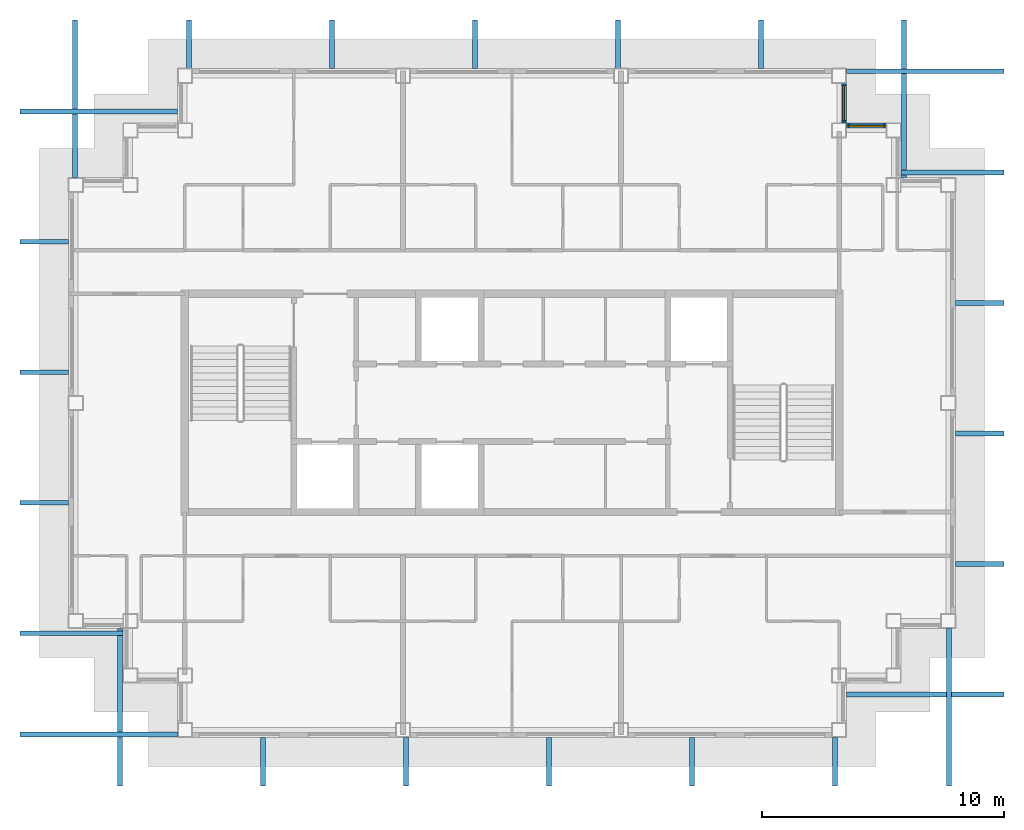
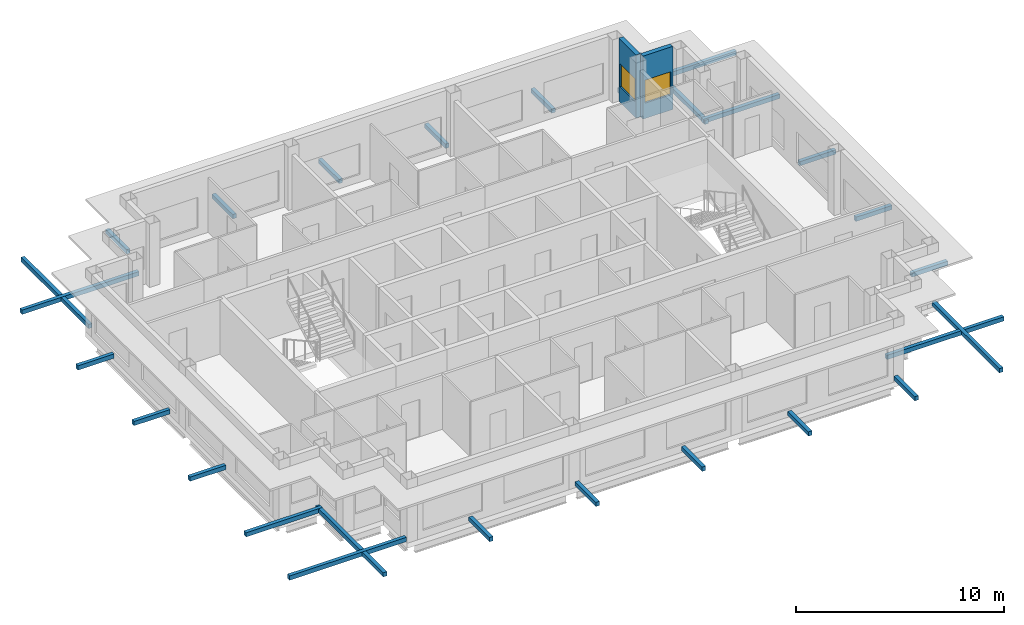
# One storey, part 6 of 11: 26 discrete accessories, 2 walls, 2 windows, 2 openings.
"""IFC4 building model written with IfcOpenShell, lengths in metres."""

from ifc_helpers import new_model, si_unit, direction, frame, frame_2d, origin, origin_2d, place, context, subcontext, project, spatial, rectangle, extrude, material, layer, layer_set, type_object, element, fill, save


model = new_model("IFC4")

# Units and contexts
model_context = context("Model", 3, precision=1e-05, world=origin(), true_north=direction((0.0, 1.0)))
body_context = subcontext(model_context, "Body", "Model", "MODEL_VIEW")
ifc_project = project(units=[si_unit("LENGTHUNIT", "METRE"), si_unit("AREAUNIT", "SQUARE_METRE"), si_unit("VOLUMEUNIT", "CUBIC_METRE"), si_unit("PLANEANGLEUNIT", "RADIAN"), si_unit("MASSUNIT", "GRAM", prefix="KILO")], contexts=[model_context])

# Site, building, storey
site_placement = place(None, origin())
site = spatial("IfcSite", under=ifc_project, at=site_placement, CompositionType="ELEMENT")
building_placement = place(site_placement, origin())
building = spatial("IfcBuilding", under=site, at=building_placement, Name="Caravel Reach Hotel and Residences", CompositionType="ELEMENT")
storey_placement = place(building_placement, frame((0.0, 0.0, 301.89990234375)))
storey = spatial("IfcBuildingStorey", under=building, at=storey_placement, Name="L77", CompositionType="ELEMENT", Elevation=301.89990234375)

# Wall, opening, window
ifc_material_1 = material(Name="Insulated rainscreen wall, aluminium cladding", Category="aluminium")
ifc_layer = layer(ifc_material_1, 0.25)
ifc_layer_set = layer_set([ifc_layer], Name="EW1 Tower rainscreen wall")
wall_type = type_object("IfcWallType", Name="EW1 Tower rainscreen wall", PredefinedType="SOLIDWALL", material=ifc_layer_set)
wall_1_placement = place(storey_placement, frame((46.949951171875, 38.425048828125, 0.0), z_axis=(0.0, 0.0, 1.0), x_axis=(-1.0, 0.0, 0.0)))
wall_1 = element("IfcWall", 1, at=wall_1_placement, inside=storey, type_object=wall_type, Name="External wall L77 N8.1", PredefinedType="SOLIDWALL", context=body_context, shape_type="SweptSolid", body=[
    extrude(rectangle(XDim=1.64990234375, YDim=0.25, at=frame_2d((0.824951171875, 0.0))), origin(), (0.0, 0.0, 1.0), 3.7001953125),
])
opening_1_placement = place(wall_1_placement, frame((0.10009765625, 0.0, 0.89990234375)))
opening_1 = element("IfcOpeningElement", 2, at=opening_1_placement, cuts=wall_1, Name="Opening WN27", PredefinedType="OPENING", context=body_context, shape_type="SweptSolid", body=[
    extrude(rectangle(XDim=1.449951171875, YDim=1.35009765625, at=frame_2d((0.72509765625, 0.675048828125))), frame((0.0, 0.135009765625, 0.0), z_axis=(0.0, -1.0, 0.0), x_axis=(1.0, 0.0, 0.0)), (0.0, 0.0, 1.0), 0.27001953125),
])
ifc_material_2 = material(Name="Dark low-e glazing in black aluminium frame", Category="aluminium")
window_type = type_object("IfcWindowType", Name="Residence bedroom window 1450 x 1350", PartitioningType="SINGLE_PANEL", PredefinedType="WINDOW", material=ifc_material_2)
window_1_placement = place(opening_1_placement, origin())
window_1 = element("IfcWindow", 3, at=window_1_placement, inside=storey, type_object=window_type, Name="Window L77 N8.1.1", OverallHeight=1.35009765625, OverallWidth=1.449951171875, PartitioningType="SINGLE_PANEL", PredefinedType="WINDOW", context=body_context, shape_type="SweptSolid", body=[
    extrude(rectangle(XDim=1.449951171875, YDim=1.35009765625, at=frame_2d((0.72509765625, 0.675048828125))), frame((0.0, 0.030029296875, 0.0), z_axis=(0.0, -1.0, 0.0), x_axis=(1.0, 0.0, 0.0)), (0.0, 0.0, 1.0), 0.06005859375),
])
fill(opening_1, window_1)

wall_2_placement = place(storey_placement, frame((45.175048828125, 38.550048828125, 0.0), z_axis=(0.0, 0.0, 1.0), x_axis=(0.0, 1.0, 0.0)))
wall_2 = element("IfcWall", 4, at=wall_2_placement, inside=storey, type_object=wall_type, Name="External wall L77 E9.1", PredefinedType="SOLIDWALL", context=body_context, shape_type="SweptSolid", body=[
    extrude(rectangle(XDim=1.64990234375, YDim=0.25, at=frame_2d((0.824951171875, 0.0))), origin(), (0.0, 0.0, 1.0), 3.7001953125),
])
opening_2_placement = place(wall_2_placement, frame((0.10009765625, 0.0, 0.89990234375)))
opening_2 = element("IfcOpeningElement", 5, at=opening_2_placement, cuts=wall_2, Name="Opening WN27", PredefinedType="OPENING", context=body_context, shape_type="SweptSolid", body=[
    extrude(rectangle(XDim=1.449951171875, YDim=1.35009765625, at=frame_2d((0.72509765625, 0.675048828125))), frame((0.0, 0.135009765625, 0.0), z_axis=(0.0, -1.0, 0.0), x_axis=(1.0, 0.0, 0.0)), (0.0, 0.0, 1.0), 0.27001953125),
])
window_2_placement = place(opening_2_placement, origin())
window_2 = element("IfcWindow", 6, at=window_2_placement, inside=storey, type_object=window_type, Name="Window L77 E9.1.1", OverallHeight=1.35009765625, OverallWidth=1.449951171875, PartitioningType="SINGLE_PANEL", PredefinedType="WINDOW", context=body_context, shape_type="SweptSolid", body=[
    extrude(rectangle(XDim=1.449951171875, YDim=1.35009765625, at=frame_2d((0.72509765625, 0.675048828125))), frame((0.0, 0.030029296875, 0.0), z_axis=(0.0, -1.0, 0.0), x_axis=(1.0, 0.0, 0.0)), (0.0, 0.0, 1.0), 0.06005859375),
])
fill(opening_2, window_2)

# Discrete accessories
ifc_material_3 = material(Name="Black powder-coated aluminium", Category="aluminium")
discrete_accessory_type = type_object("IfcDiscreteAccessoryType", Name="BR1 Screen bracket", PredefinedType="BRACKET", material=ifc_material_3)
discrete_accessory_1_placement = place(storey_placement, frame((48.550048828125, 14.96826171875, 0.10009765625), z_axis=(0.0, 0.0, 1.0), x_axis=(1.0, 0.0, 0.0)))
element("IfcDiscreteAccessory", 7, at=discrete_accessory_1_placement, inside=storey, type_object=discrete_accessory_type, Name="Screen bracket L77 1.1.2", PredefinedType="BRACKET", context=body_context, shape_type="SweptSolid", body=[
    extrude(rectangle(XDim=6.5, YDim=0.199951171875, at=origin_2d()), origin(), (0.0, 0.0, 1.0), 0.25),
])
for number, where, z_axis, x_axis, name in (
    (8, (50.800048828125, 20.3515625, 0.10009765625), (0.0, 0.0, 1.0), (1.0, 0.0, 0.0), "Screen bracket L77 1.2.2"),
    (9, (50.800048828125, 25.735107421875, 0.10009765625), (0.0, 0.0, 1.0), (1.0, 0.0, 0.0), "Screen bracket L77 1.3.2"),
    (10, (50.800048828125, 31.118408203125, 0.10009765625), (0.0, 0.0, 1.0), (1.0, 0.0, 0.0), "Screen bracket L77 1.4.2"),
):
    element("IfcDiscreteAccessory", number, at=place(storey_placement, frame(where, z_axis=z_axis, x_axis=x_axis)), inside=storey, type_object=discrete_accessory_type, Name=name, PredefinedType="BRACKET", context=body_context, shape_type="SweptSolid", body=[
        extrude(rectangle(XDim=2.0, YDim=0.199951171875, at=origin_2d()), origin(), (0.0, 0.0, 1.0), 0.25),
    ])
discrete_accessory_2_placement = place(storey_placement, frame((49.675048828125, 36.501708984375, 0.10009765625), z_axis=(0.0, 0.0, 1.0), x_axis=(1.0, 0.0, 0.0)))
element("IfcDiscreteAccessory", 11, at=discrete_accessory_2_placement, inside=storey, type_object=discrete_accessory_type, Name="Screen bracket L77 1.5.2", PredefinedType="BRACKET", context=body_context, shape_type="SweptSolid", body=[
    extrude(rectangle(XDim=4.25, YDim=0.199951171875, at=origin_2d()), origin(), (0.0, 0.0, 1.0), 0.25),
])
for number, where, z_axis, x_axis, name in (
    (12, (48.550048828125, 40.68505859375, 0.10009765625), (0.0, 0.0, 1.0), (1.0, 0.0, 0.0), "Screen bracket L77 1.6.2"),
    (13, (47.669921875, 39.550048828125, 0.10009765625), (0.0, 0.0, 1.0), (0.0, 1.0, 0.0), "Screen bracket L77 2.1.2"),
):
    element("IfcDiscreteAccessory", number, at=place(storey_placement, frame(where, z_axis=z_axis, x_axis=x_axis)), inside=storey, type_object=discrete_accessory_type, Name=name, PredefinedType="BRACKET", context=body_context, shape_type="SweptSolid", body=[
        extrude(rectangle(XDim=6.5, YDim=0.199951171875, at=origin_2d()), origin(), (0.0, 0.0, 1.0), 0.25),
    ])
for number, where, z_axis, x_axis, name in (
    (14, (41.77001953125, 41.800048828125, 0.10009765625), (0.0, 0.0, 1.0), (0.0, 1.0, 0.0), "Screen bracket L77 2.2.2"),
    (15, (35.8701171875, 41.800048828125, 0.10009765625), (0.0, 0.0, 1.0), (0.0, 1.0, 0.0), "Screen bracket L77 2.3.2"),
    (16, (29.969970703125, 41.800048828125, 0.10009765625), (0.0, 0.0, 1.0), (0.0, 1.0, 0.0), "Screen bracket L77 2.4.2"),
    (17, (24.070068359375, 41.800048828125, 0.10009765625), (0.0, 0.0, 1.0), (0.0, 1.0, 0.0), "Screen bracket L77 2.5.2"),
    (18, (18.169921875, 41.800048828125, 0.10009765625), (0.0, 0.0, 1.0), (0.0, 1.0, 0.0), "Screen bracket L77 2.6.2"),
):
    element("IfcDiscreteAccessory", number, at=place(storey_placement, frame(where, z_axis=z_axis, x_axis=x_axis)), inside=storey, type_object=discrete_accessory_type, Name=name, PredefinedType="BRACKET", context=body_context, shape_type="SweptSolid", body=[
        extrude(rectangle(XDim=2.0, YDim=0.199951171875, at=origin_2d()), origin(), (0.0, 0.0, 1.0), 0.25),
    ])
for number, where, z_axis, x_axis, name in (
    (19, (13.469970703125, 39.550048828125, 0.10009765625), (0.0, 0.0, 1.0), (0.0, 1.0, 0.0), "Screen bracket L77 2.7.2"),
    (20, (14.449951171875, 39.03173828125, 0.10009765625), (0.0, 0.0, 1.0), (-1.0, 0.0, 0.0), "Screen bracket L77 3.1.2"),
):
    element("IfcDiscreteAccessory", number, at=place(storey_placement, frame(where, z_axis=z_axis, x_axis=x_axis)), inside=storey, type_object=discrete_accessory_type, Name=name, PredefinedType="BRACKET", context=body_context, shape_type="SweptSolid", body=[
        extrude(rectangle(XDim=6.5, YDim=0.199951171875, at=origin_2d()), origin(), (0.0, 0.0, 1.0), 0.25),
    ])
for number, where, z_axis, x_axis, name in (
    (21, (12.199951171875, 33.6484375, 0.10009765625), (0.0, 0.0, 1.0), (-1.0, 0.0, 0.0), "Screen bracket L77 3.2.2"),
    (22, (12.199951171875, 28.264892578125, 0.10009765625), (0.0, 0.0, 1.0), (-1.0, 0.0, 0.0), "Screen bracket L77 3.3.2"),
    (23, (12.199951171875, 22.881591796875, 0.10009765625), (0.0, 0.0, 1.0), (-1.0, 0.0, 0.0), "Screen bracket L77 3.4.2"),
):
    element("IfcDiscreteAccessory", number, at=place(storey_placement, frame(where, z_axis=z_axis, x_axis=x_axis)), inside=storey, type_object=discrete_accessory_type, Name=name, PredefinedType="BRACKET", context=body_context, shape_type="SweptSolid", body=[
        extrude(rectangle(XDim=2.0, YDim=0.199951171875, at=origin_2d()), origin(), (0.0, 0.0, 1.0), 0.25),
    ])
discrete_accessory_3_placement = place(storey_placement, frame((13.324951171875, 17.498291015625, 0.10009765625), z_axis=(0.0, 0.0, 1.0), x_axis=(-1.0, 0.0, 0.0)))
element("IfcDiscreteAccessory", 24, at=discrete_accessory_3_placement, inside=storey, type_object=discrete_accessory_type, Name="Screen bracket L77 3.5.2", PredefinedType="BRACKET", context=body_context, shape_type="SweptSolid", body=[
    extrude(rectangle(XDim=4.25, YDim=0.199951171875, at=origin_2d()), origin(), (0.0, 0.0, 1.0), 0.25),
])
for number, where, z_axis, x_axis, name in (
    (25, (14.449951171875, 13.31494140625, 0.10009765625), (0.0, 0.0, 1.0), (-1.0, 0.0, 0.0), "Screen bracket L77 3.6.2"),
    (26, (15.330078125, 14.449951171875, 0.10009765625), (0.0, 0.0, 1.0), (0.0, -1.0, 0.0), "Screen bracket L77 4.1.2"),
):
    element("IfcDiscreteAccessory", number, at=place(storey_placement, frame(where, z_axis=z_axis, x_axis=x_axis)), inside=storey, type_object=discrete_accessory_type, Name=name, PredefinedType="BRACKET", context=body_context, shape_type="SweptSolid", body=[
        extrude(rectangle(XDim=6.5, YDim=0.199951171875, at=origin_2d()), origin(), (0.0, 0.0, 1.0), 0.25),
    ])
for number, where, z_axis, x_axis, name in (
    (27, (21.22998046875, 12.199951171875, 0.10009765625), (0.0, 0.0, 1.0), (0.0, -1.0, 0.0), "Screen bracket L77 4.2.2"),
    (28, (27.1298828125, 12.199951171875, 0.10009765625), (0.0, 0.0, 1.0), (0.0, -1.0, 0.0), "Screen bracket L77 4.3.2"),
    (29, (33.030029296875, 12.199951171875, 0.10009765625), (0.0, 0.0, 1.0), (0.0, -1.0, 0.0), "Screen bracket L77 4.4.2"),
    (30, (38.929931640625, 12.199951171875, 0.10009765625), (0.0, 0.0, 1.0), (0.0, -1.0, 0.0), "Screen bracket L77 4.5.2"),
    (31, (44.830078125, 12.199951171875, 0.10009765625), (0.0, 0.0, 1.0), (0.0, -1.0, 0.0), "Screen bracket L77 4.6.2"),
):
    element("IfcDiscreteAccessory", number, at=place(storey_placement, frame(where, z_axis=z_axis, x_axis=x_axis)), inside=storey, type_object=discrete_accessory_type, Name=name, PredefinedType="BRACKET", context=body_context, shape_type="SweptSolid", body=[
        extrude(rectangle(XDim=2.0, YDim=0.199951171875, at=origin_2d()), origin(), (0.0, 0.0, 1.0), 0.25),
    ])
discrete_accessory_4_placement = place(storey_placement, frame((49.530029296875, 14.449951171875, 0.10009765625), z_axis=(0.0, 0.0, 1.0), x_axis=(0.0, -1.0, 0.0)))
element("IfcDiscreteAccessory", 32, at=discrete_accessory_4_placement, inside=storey, type_object=discrete_accessory_type, Name="Screen bracket L77 4.7.2", PredefinedType="BRACKET", context=body_context, shape_type="SweptSolid", body=[
    extrude(rectangle(XDim=6.5, YDim=0.199951171875, at=origin_2d()), origin(), (0.0, 0.0, 1.0), 0.25),
])

save(model, "model.ifc")
